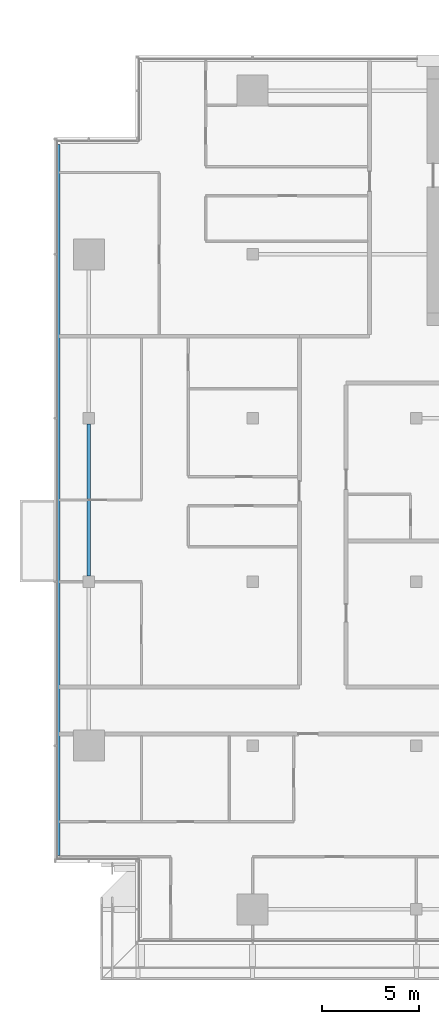
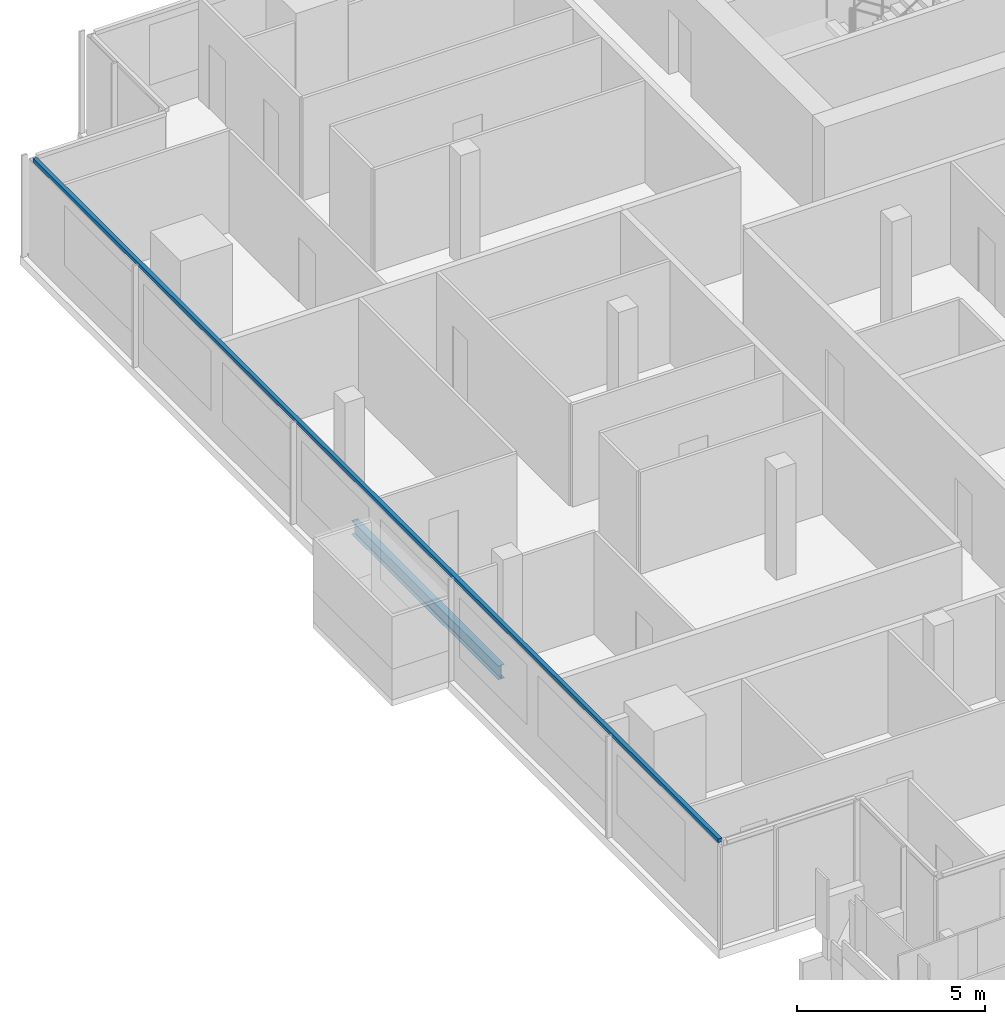
# One storey, part 3 of 29: 1 beam, 1 member, 1 element without a shape of its own.
"""IFC4 building model written with IfcOpenShell, lengths in metres."""

from ifc_helpers import new_model, si_unit, direction, frame, origin, origin_2d, place, context, subcontext, project, spatial, rectangle, i_section, extrude, material, material_profile, profile_set, type_object, element, aggregate, save


model = new_model("IFC4")

# Units and contexts
model_context = context("Model", 3, precision=1e-05, world=origin(), true_north=direction((0.0, 1.0)))
body_context = subcontext(model_context, "Body", "Model", "MODEL_VIEW")
ifc_project = project(units=[si_unit("LENGTHUNIT", "METRE"), si_unit("AREAUNIT", "SQUARE_METRE"), si_unit("VOLUMEUNIT", "CUBIC_METRE"), si_unit("PLANEANGLEUNIT", "RADIAN"), si_unit("MASSUNIT", "GRAM", prefix="KILO")], contexts=[model_context])

# Site, building, storey
site_placement = place(None, origin())
site = spatial("IfcSite", under=ifc_project, at=site_placement, CompositionType="ELEMENT")
building_placement = place(site_placement, origin())
building = spatial("IfcBuilding", under=site, at=building_placement, Name="Saffron Gate Tower", CompositionType="ELEMENT")
storey_placement = place(building_placement, frame((0.0, 0.0, 227.10009765625)))
storey = spatial("IfcBuildingStorey", under=building, at=storey_placement, Name="L55", CompositionType="ELEMENT", Elevation=227.10009765625)

# Beam
ifc_material_1 = material(Name="Structural steel S355", Category="steel")
ifc_material_profile_1 = material_profile(ifc_material_1, i_section(OverallWidth=0.18994140625, OverallDepth=0.449951171875, WebThickness=0.009521484375, FlangeThickness=0.0146484375, FilletRadius=0.02099609375, at=origin_2d()))
ifc_profile_set_1 = profile_set([ifc_material_profile_1], Name="Structural steel S355")
beam_type = type_object("IfcBeamType", Name="B7 IPE 450", PredefinedType="SPANDREL", material=ifc_profile_set_1)
beam_placement = place(storey_placement, frame((49.800048828125, 48.89990234375, -0.505126953125), z_axis=(0.0, 1.0, 0.0), x_axis=(-1.0, 0.0, 0.0)))
element("IfcBeam", 1, at=beam_placement, inside=storey, type_object=beam_type, Name="B7 SPANDREL BEAM", PredefinedType="SPANDREL", context=body_context, shape_type="SweptSolid", body=[
    extrude(i_section(OverallWidth=0.18994140625, OverallDepth=0.449951171875, WebThickness=0.009521484375, FlangeThickness=0.0146484375, FilletRadius=0.02099609375, at=origin_2d()), origin(), (0.0, 0.0, 1.0), 7.800048828125),
])

# Curtain wall, member
ifc_material_2 = material(Name="Aluminium, bronze anodised", Category="aluminium")
curtain_wall_type = type_object("IfcCurtainWallType", Name="CWS2 curtain wall side facades", PredefinedType="NOTDEFINED", material=ifc_material_2)
curtain_wall_placement = place(storey_placement, origin())
curtain_wall = element("IfcCurtainWall", 2, at=curtain_wall_placement, inside=storey, type_object=curtain_wall_type, Name="CWS2 run 10", PredefinedType="NOTDEFINED")
ifc_material_profile_2 = material_profile(ifc_material_2, rectangle(XDim=0.1201171875, YDim=0.1201171875, at=origin_2d()))
ifc_profile_set_2 = profile_set([ifc_material_profile_2], Name="Aluminium, bronze anodised")
member_type = type_object("IfcMemberType", Name="CWS2 head transom", PredefinedType="USERDEFINED", material=ifc_profile_set_2)
member_placement = place(storey_placement, frame((48.248046875, 71.031982421875, 3.260009765625), z_axis=(0.0, -1.0, 0.0), x_axis=(1.0, 0.0, 0.0)))
member = element("IfcMember", 3, at=member_placement, type_object=member_type, Name="CWS2 head transom", ObjectType="TRANSOM", PredefinedType="USERDEFINED", context=body_context, shape_type="SweptSolid", body=[
    extrude(rectangle(XDim=0.1201171875, YDim=0.1201171875, at=origin_2d()), origin(), (0.0, 0.0, 1.0), 36.4638671875),
])
aggregate(curtain_wall, [member])

save(model, "model.ifc")
